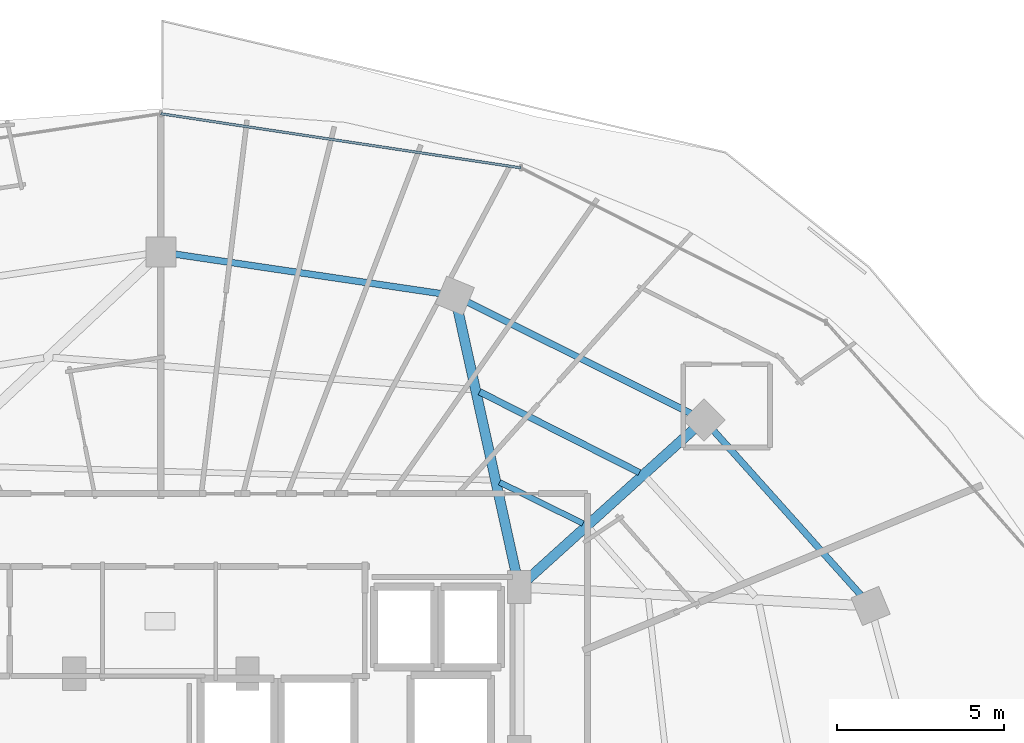
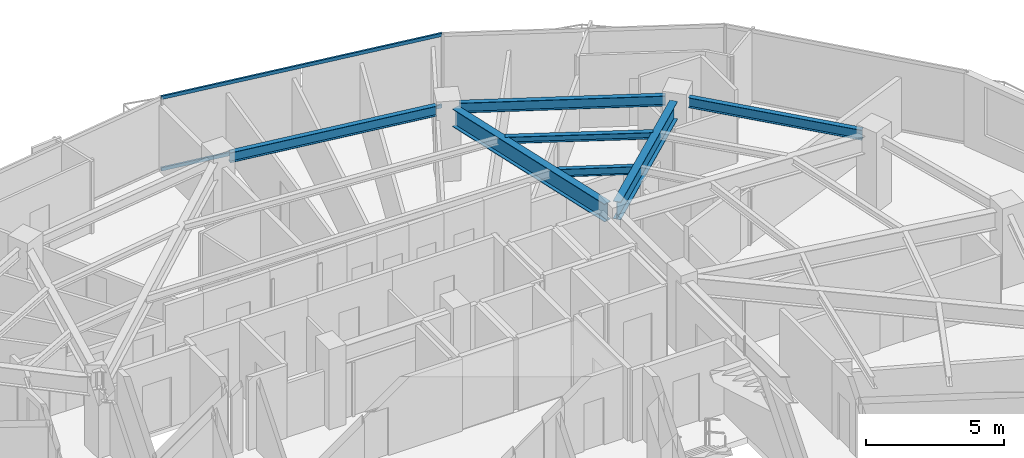
# One storey, part 20 of 33: 7 beams, 2 members, 1 element without a shape of its own.
"""IFC4 building model written with IfcOpenShell, lengths in metres."""

from ifc_helpers import new_model, si_unit, direction, frame, origin, origin_2d, place, context, subcontext, project, spatial, hollow_rectangle, i_section, extrude, material, material_profile, profile_set, type_object, element, aggregate, save


model = new_model("IFC4")

# Units and contexts
model_context = context("Model", 3, precision=1e-05, world=origin(), true_north=direction((0.0, 1.0)))
body_context = subcontext(model_context, "Body", "Model", "MODEL_VIEW")
ifc_project = project(units=[si_unit("LENGTHUNIT", "METRE"), si_unit("AREAUNIT", "SQUARE_METRE"), si_unit("VOLUMEUNIT", "CUBIC_METRE"), si_unit("PLANEANGLEUNIT", "RADIAN"), si_unit("MASSUNIT", "GRAM", prefix="KILO")], contexts=[model_context])

# Site, building, storey
site_placement = place(None, origin())
site = spatial("IfcSite", under=ifc_project, at=site_placement, CompositionType="ELEMENT")
building_placement = place(site_placement, origin())
building = spatial("IfcBuilding", under=site, at=building_placement, Name="Vorneva Point Tower", CompositionType="ELEMENT")
storey_placement = place(building_placement, frame((0.0, 0.0, 221.39990234375)))
storey = spatial("IfcBuildingStorey", under=building, at=storey_placement, Name="L60", CompositionType="ELEMENT", Elevation=221.39990234375)

# Beams
ifc_material_1 = material(Name="Steel S355", Category="steel")
ifc_material_profile_1 = material_profile(ifc_material_1, i_section(OverallWidth=0.300048828125, OverallDepth=0.7880859375, WebThickness=0.014404296875, FlangeThickness=0.02197265625, at=origin_2d()), Name="80Sh1")
ifc_profile_set_1 = profile_set([ifc_material_profile_1], Name="Steel S355")
beam_type_1 = type_object("IfcBeamType", Name="BM-GRD-80Sh1", PredefinedType="USERDEFINED", material=ifc_profile_set_1)
beam_1_placement = place(storey_placement, frame((53.973876953125, 37.86865234375, 2.80615234375), z_axis=(-0.742089778537, -0.670300500217, 0.0), x_axis=(0.670300500217, -0.742089778537, 0.0)))
element("IfcBeam", 1, at=beam_1_placement, inside=storey, type_object=beam_type_1, Name="L60 Radial Primary Girder 03", ObjectType="GIRDER", PredefinedType="USERDEFINED", context=body_context, shape_type="SweptSolid", body=[
    extrude(i_section(OverallWidth=0.300048828125, OverallDepth=0.7880859375, WebThickness=0.014404296875, FlangeThickness=0.02197265625, at=origin_2d()), origin(), (0.0, 0.0, 1.0), 6.699462890625),
])
beam_2_placement = place(storey_placement, frame((46.915283203125, 41.462890625, 2.80615234375), z_axis=(0.215522758292, -0.976498817541, 0.0), x_axis=(0.976498817541, 0.215522758292, 0.0)))
element("IfcBeam", 2, at=beam_2_placement, inside=storey, type_object=beam_type_1, Name="L60 Radial Primary Girder 04", ObjectType="GIRDER", PredefinedType="USERDEFINED", context=body_context, shape_type="SweptSolid", body=[
    extrude(i_section(OverallWidth=0.300048828125, OverallDepth=0.7880859375, WebThickness=0.014404296875, FlangeThickness=0.02197265625, at=origin_2d()), origin(), (0.0, 0.0, 1.0), 8.173095703125),
])
ifc_material_profile_2 = material_profile(ifc_material_1, i_section(OverallWidth=0.199951171875, OverallDepth=0.291015625, WebThickness=0.008056640625, FlangeThickness=0.010986328125, at=origin_2d()), Name="30Sh1")
ifc_profile_set_2 = profile_set([ifc_material_profile_2], Name="Steel S355")
beam_type_2 = type_object("IfcBeamType", Name="BM-SEC-30Sh1", PredefinedType="BEAM", material=ifc_profile_set_2)
beam_3_placement = place(storey_placement, frame((52.359130859375, 36.583740234375, 3.0546875), z_axis=(-0.892445275424, 0.451155660912, 0.0), x_axis=(-0.451155660912, -0.892445275424, 0.0)))
element("IfcBeam", 3, at=beam_3_placement, inside=storey, type_object=beam_type_2, Name="L60 Secondary Floor Beam 1.03", PredefinedType="BEAM", context=body_context, shape_type="SweptSolid", body=[
    extrude(i_section(OverallWidth=0.199951171875, OverallDepth=0.291015625, WebThickness=0.008056640625, FlangeThickness=0.010986328125, at=origin_2d()), origin(), (0.0, 0.0, 1.0), 5.369873046875),
])
ifc_material_profile_3 = material_profile(ifc_material_1, i_section(OverallWidth=0.174072265625, OverallDepth=0.345947265625, WebThickness=0.006103515625, FlangeThickness=0.009033203125, at=origin_2d()), Name="35B1")
ifc_profile_set_3 = profile_set([ifc_material_profile_3], Name="Steel S355")
beam_type_3 = type_object("IfcBeamType", Name="BM-SEC-35B1", PredefinedType="BEAM", material=ifc_profile_set_3)
beam_4_placement = place(storey_placement, frame((50.66845703125, 35.055908203125, 3.027099609375), z_axis=(-0.896290822353, 0.443466753845, 0.0), x_axis=(-0.443466753845, -0.896290822353, 0.0)))
element("IfcBeam", 4, at=beam_4_placement, inside=storey, type_object=beam_type_3, Name="L60 Secondary Floor Beam 2.03", PredefinedType="BEAM", context=body_context, shape_type="SweptSolid", body=[
    extrude(i_section(OverallWidth=0.174072265625, OverallDepth=0.345947265625, WebThickness=0.006103515625, FlangeThickness=0.009033203125, at=origin_2d()), origin(), (0.0, 0.0, 1.0), 2.791748046875),
])
ifc_material_profile_4 = material_profile(ifc_material_1, i_section(OverallWidth=0.198974609375, OverallDepth=0.446044921875, WebThickness=0.008056640625, FlangeThickness=0.011962890625, at=origin_2d()), Name="45B1")
ifc_profile_set_4 = profile_set([ifc_material_profile_4], Name="Steel S355")
beam_type_4 = type_object("IfcBeamType", Name="BM-SPN-45B1", PredefinedType="SPANDREL", material=ifc_profile_set_4)
beam_5_placement = place(storey_placement, frame((59.005126953125, 32.90625, 2.97705078125), z_axis=(-0.66706970547, 0.744995307397, 0.0), x_axis=(-0.744995307397, -0.66706970547, 0.0)))
element("IfcBeam", 5, at=beam_5_placement, inside=storey, type_object=beam_type_4, Name="L60 Perimeter Spandrel Ring Beam 02", PredefinedType="SPANDREL", context=body_context, shape_type="SweptSolid", body=[
    extrude(i_section(OverallWidth=0.198974609375, OverallDepth=0.446044921875, WebThickness=0.008056640625, FlangeThickness=0.011962890625, at=origin_2d()), origin(), (0.0, 0.0, 1.0), 6.6201171875),
])
beam_6_placement = place(storey_placement, frame((53.909423828125, 38.356201171875, 2.97705078125), z_axis=(-0.894922371084, 0.446221861559, 0.0), x_axis=(-0.446221861559, -0.894922371084, 0.0)))
element("IfcBeam", 6, at=beam_6_placement, inside=storey, type_object=beam_type_4, Name="L60 Perimeter Spandrel Ring Beam 03", PredefinedType="SPANDREL", context=body_context, shape_type="SweptSolid", body=[
    extrude(i_section(OverallWidth=0.198974609375, OverallDepth=0.446044921875, WebThickness=0.008056640625, FlangeThickness=0.011962890625, at=origin_2d()), origin(), (0.0, 0.0, 1.0), 7.48583984375),
])
beam_7_placement = place(storey_placement, frame((46.390625, 41.95458984375, 2.97705078125), z_axis=(-0.989165476332, 0.146804837907, 0.0), x_axis=(-0.146804837907, -0.989165476332, 0.0)))
element("IfcBeam", 7, at=beam_7_placement, inside=storey, type_object=beam_type_4, Name="L60 Perimeter Spandrel Ring Beam 04", PredefinedType="SPANDREL", context=body_context, shape_type="SweptSolid", body=[
    extrude(i_section(OverallWidth=0.198974609375, OverallDepth=0.446044921875, WebThickness=0.008056640625, FlangeThickness=0.011962890625, at=origin_2d()), origin(), (0.0, 0.0, 1.0), 8.04736328125),
])

# Curtain wall, members
ifc_material_2 = material(Name="Pale anodised aluminium", Category="aluminium")
curtain_wall_type = type_object("IfcCurtainWallType", Name="CW-RES-SYS", PredefinedType="NOTDEFINED", material=ifc_material_2)
curtain_wall_placement = place(storey_placement, origin())
curtain_wall = element("IfcCurtainWall", 8, at=curtain_wall_placement, inside=storey, type_object=curtain_wall_type, Name="L60 Unitised Curtain Wall CW-L60-R01", PredefinedType="NOTDEFINED")
ifc_material_profile_5 = material_profile(ifc_material_2, hollow_rectangle(XDim=0.074951171875, YDim=0.14990234375, WallThickness=0.00390625, at=origin_2d()), Name="AL-TRN 150x75x4")
ifc_profile_set_5 = profile_set([ifc_material_profile_5], Name="Pale anodised aluminium")
member_type = type_object("IfcMemberType", Name="CW-TRN-150", PredefinedType="USERDEFINED", material=ifc_profile_set_5)
member_1_placement = place(storey_placement, frame((48.80322265625, 45.724853515625, 0.02001953125), z_axis=(-0.988872333273, 0.148766624239, 0.0), x_axis=(-0.148766624239, -0.988872333273, 0.0)))
member_1 = element("IfcMember", 9, at=member_1_placement, type_object=member_type, Name="CW-L60-R01 Transom 03.1", ObjectType="TRANSOM", PredefinedType="USERDEFINED", context=body_context, shape_type="SweptSolid", body=[
    extrude(hollow_rectangle(XDim=0.074951171875, YDim=0.14990234375, WallThickness=0.00390625, at=origin_2d()), origin(), (0.0, 0.0, 1.0), 10.9248046875),
])
member_2_placement = place(storey_placement, frame((48.80322265625, 45.724853515625, 3.18017578125), z_axis=(-0.988872333273, 0.148766624239, 0.0), x_axis=(-0.148766624239, -0.988872333273, 0.0)))
member_2 = element("IfcMember", 10, at=member_2_placement, type_object=member_type, Name="CW-L60-R01 Transom 03.2", ObjectType="TRANSOM", PredefinedType="USERDEFINED", context=body_context, shape_type="SweptSolid", body=[
    extrude(hollow_rectangle(XDim=0.074951171875, YDim=0.14990234375, WallThickness=0.00390625, at=origin_2d()), origin(), (0.0, 0.0, 1.0), 10.9248046875),
])
aggregate(curtain_wall, [member_1, member_2])

save(model, "model.ifc")
